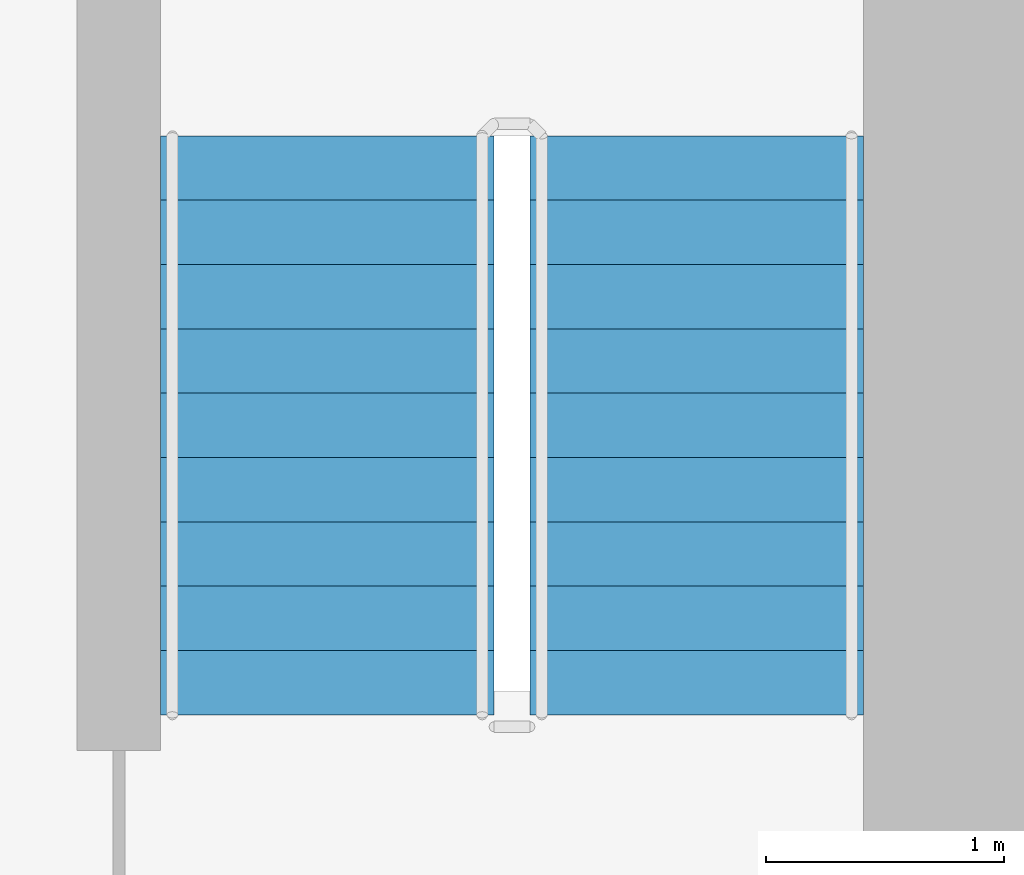
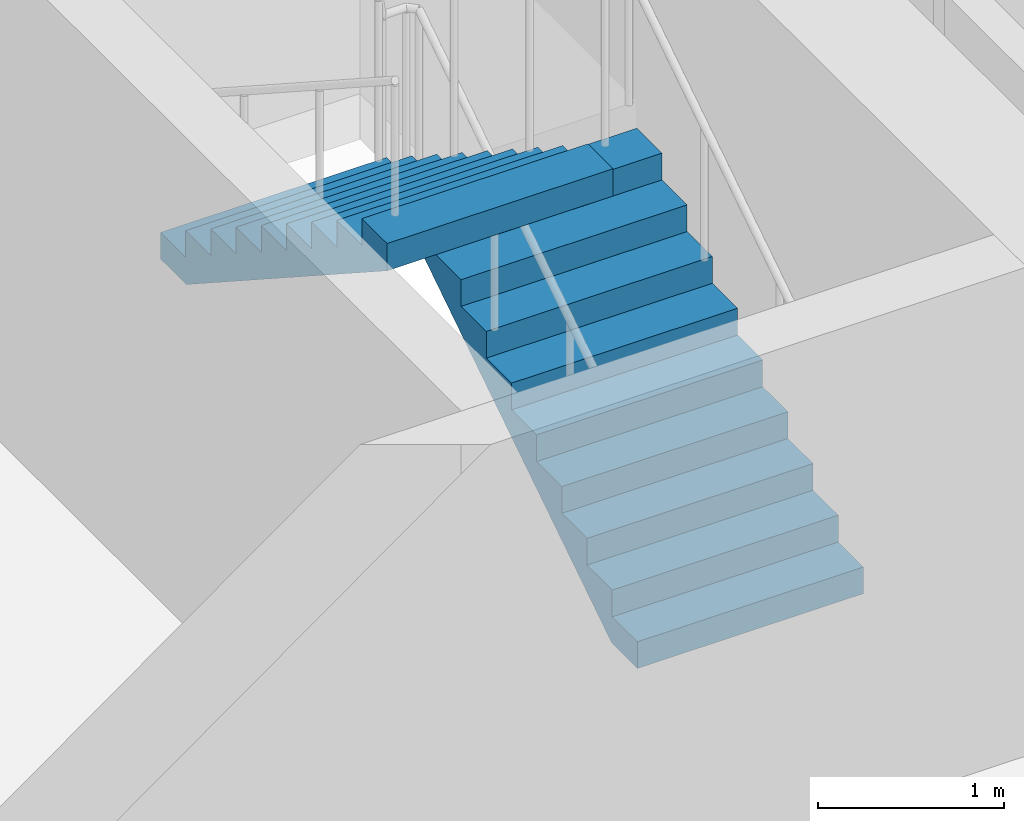
# One storey, part 13 of 20: 2 stair flights, 1 element without a shape of its own.
"""IFC4 building model written with IfcOpenShell, lengths in metres."""

from ifc_helpers import new_model, si_unit, direction, frame, origin, place, context, subcontext, project, spatial, polyline, outline, extrude, material, layer, layer_set, type_object, element, aggregate, save


model = new_model("IFC4")

# Units and contexts
model_context = context("Model", 3, precision=1e-05, world=origin(), true_north=direction((0.0, 1.0)))
body_context = subcontext(model_context, "Body", "Model", "MODEL_VIEW")
ifc_project = project(units=[si_unit("LENGTHUNIT", "METRE"), si_unit("AREAUNIT", "SQUARE_METRE"), si_unit("VOLUMEUNIT", "CUBIC_METRE"), si_unit("PLANEANGLEUNIT", "RADIAN"), si_unit("MASSUNIT", "GRAM", prefix="KILO")], contexts=[model_context])

# Site, building, storey
site_placement = place(None, origin())
site = spatial("IfcSite", under=ifc_project, at=site_placement, CompositionType="ELEMENT")
building_placement = place(site_placement, origin())
building = spatial("IfcBuilding", under=site, at=building_placement, Name="Saffron Iwan Residences", CompositionType="ELEMENT")
storey_placement = place(building_placement, frame((0.0, 0.0, 178.0)))
storey = spatial("IfcBuildingStorey", under=building, at=storey_placement, Name="L47", CompositionType="ELEMENT", Elevation=178.0)

# Stair, stair flights
ifc_material = material(Name="Concrete C50/60", Category="concrete")
stair_type = type_object("IfcStairType", Name="Stair ST-CORE", PredefinedType="HALF_TURN_STAIR", material=ifc_material)
stair_placement = place(storey_placement, origin())
stair = element("IfcStair", 1, at=stair_placement, inside=storey, type_object=stair_type, Name="L47 Exit Stair ST-E", PredefinedType="HALF_TURN_STAIR")
ifc_layer = layer(ifc_material, 0.14990234375)
ifc_layer_set = layer_set([ifc_layer], Name="Concrete C50/60")
stair_flight_type = type_object("IfcStairFlightType", Name="Stair flight SFL-RC", PredefinedType="STRAIGHT", material=ifc_layer_set)
stair_flight_1_placement = place(storey_placement, frame((70.39990234375, 67.85009765625, 0.0), z_axis=(0.0, 0.0, 1.0), x_axis=(0.0, 1.0, 0.0)))
stair_flight_1 = element("IfcStairFlight", 2, at=stair_flight_1_placement, type_object=stair_flight_type, Name="ST-E flight 1", NumberOfRisers=10, NumberOfTreads=9, PredefinedType="STRAIGHT", RiserHeight=0.175, TreadLength=0.27, context=body_context, shape_type="SweptSolid", body=[
    extrude(outline(polyline([(0.0, 0.0), (0.0, 0.175048828125), (0.27001953125, 0.175048828125), (0.27001953125, 0.35009765625), (0.5400390625, 0.35009765625), (0.5400390625, 0.52490234375), (0.81005859375, 0.52490234375), (0.81005859375, 0.699951171875), (1.080078125, 0.699951171875), (1.080078125, 0.875), (1.35009765625, 0.875), (1.35009765625, 1.050048828125), (1.6201171875, 1.050048828125), (1.6201171875, 1.22509765625), (1.889892578125, 1.22509765625), (1.889892578125, 1.39990234375), (2.159912109375, 1.39990234375), (2.159912109375, 1.574951171875), (2.429931640625, 1.574951171875), (2.429931640625, 1.75), (2.429931640625, 1.396484375), (0.275634765625, 0.0), (0.0, 0.0)])), frame((0.0, 0.699951171875, 0.0), z_axis=(0.0, -1.0, 0.0), x_axis=(1.0, 0.0, 0.0)), (0.0, 0.0, 1.0), 1.39990234375),
])
stair_flight_2_placement = place(storey_placement, frame((68.85009765625, 70.280029296875, 1.75), z_axis=(0.0, 0.0, 1.0), x_axis=(0.0, -1.0, 0.0)))
stair_flight_2 = element("IfcStairFlight", 3, at=stair_flight_2_placement, type_object=stair_flight_type, Name="ST-E flight 2", NumberOfRisers=10, NumberOfTreads=9, PredefinedType="STRAIGHT", RiserHeight=0.175, TreadLength=0.27, context=body_context, shape_type="SweptSolid", body=[
    extrude(outline(polyline([(0.0, 0.0), (0.0, 0.175048828125), (0.27001953125, 0.175048828125), (0.27001953125, 0.35009765625), (0.5400390625, 0.35009765625), (0.5400390625, 0.52490234375), (0.81005859375, 0.52490234375), (0.81005859375, 0.699951171875), (1.080078125, 0.699951171875), (1.080078125, 0.875), (1.35009765625, 0.875), (1.35009765625, 1.050048828125), (1.6201171875, 1.050048828125), (1.6201171875, 1.22509765625), (1.889892578125, 1.22509765625), (1.889892578125, 1.39990234375), (2.159912109375, 1.39990234375), (2.159912109375, 1.574951171875), (2.429931640625, 1.574951171875), (2.429931640625, 1.75), (2.429931640625, 1.396484375), (0.275634765625, 0.0), (0.0, 0.0)])), frame((0.0, 0.699951171875, 0.0), z_axis=(0.0, -1.0, 0.0), x_axis=(1.0, 0.0, 0.0)), (0.0, 0.0, 1.0), 1.39990234375),
])
aggregate(stair, [stair_flight_1, stair_flight_2])

save(model, "model.ifc")
